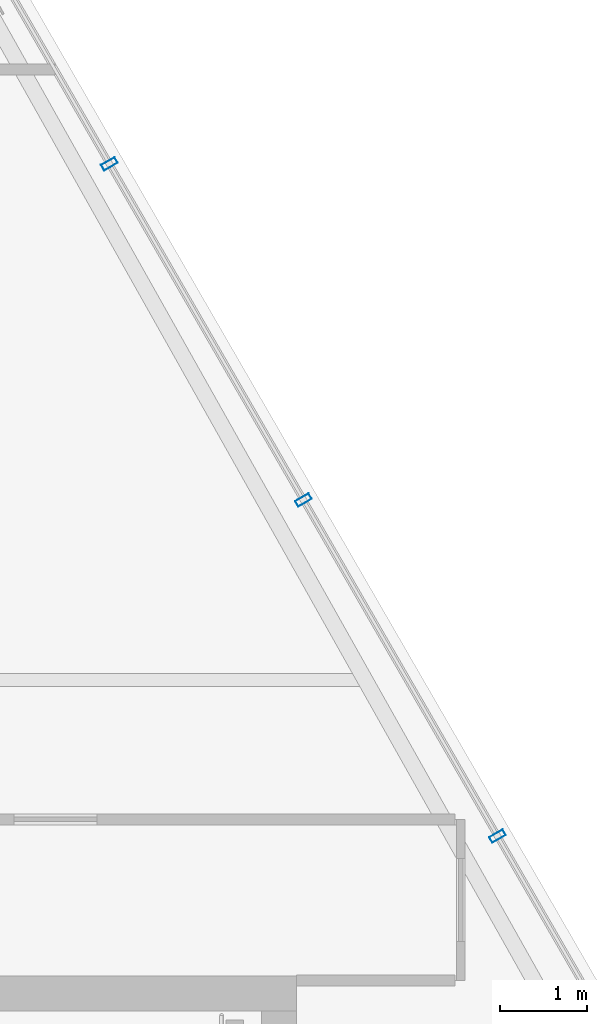
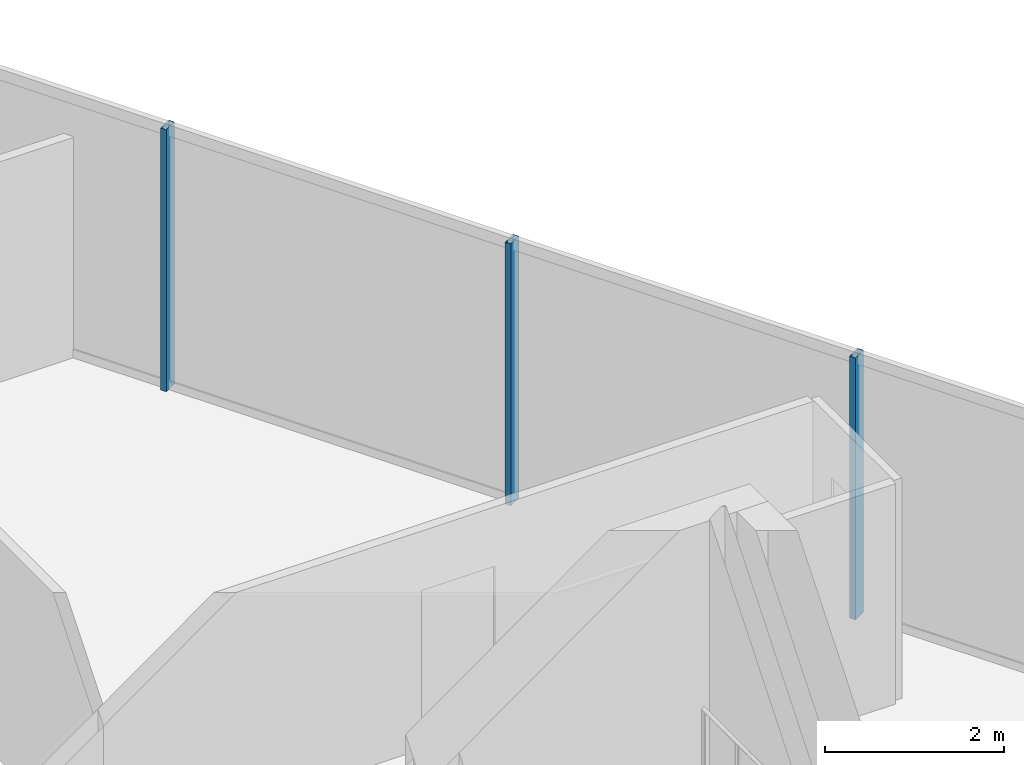
# One storey, part 22 of 32: 3 members, 1 element without a shape of its own.
"""IFC4 building model written with IfcOpenShell, lengths in metres."""

import ifcopenshell
import ifcopenshell.guid

model = None  # the IFC model being written
_history = None  # IfcOwnerHistory: only IFC2X3 demands one
_inside = {}  # id of a spatial element -> (the spatial element, [elements in it])
_under = {}  # id of a project, library or spatial element -> (it, [spatial elements below it])
_declared = {}  # id of a project -> (the project, [libraries it declares])
_typed = {}  # id of a type object -> (the type object, [elements of that type])
_made_of = {}  # id of a material, layer set ... -> (it, [elements and type objects made of it])


def new_model(schema):
    """Start an empty IFC model of exactly this schema.

    Asked for "IFC4X3", IfcOpenShell would pick the latest addendum, in which some entities
    have other attributes; the version numbers below select the first issue.
    IFC2X3 requires an IfcOwnerHistory on every rooted entity: one is made here for all.
    """
    global model, _history
    if schema == "IFC4X3":
        model = ifcopenshell.file(schema_version=(4, 3, 0, 0))
    else:
        model = ifcopenshell.file(schema=schema)
    _inside.clear()
    _under.clear()
    _declared.clear()
    _typed.clear()
    _made_of.clear()
    _history = None
    if model.schema == "IFC2X3":
        org = make("IfcOrganization", Name="unknown")
        user = make(
            "IfcPersonAndOrganization",
            ThePerson=make("IfcPerson", FamilyName="unknown"),
            TheOrganization=org,
        )
        app = make(
            "IfcApplication",
            ApplicationDeveloper=org,
            Version="unknown",
            ApplicationFullName="unknown",
            ApplicationIdentifier="unknown",
        )
        _history = make(
            "IfcOwnerHistory",
            OwningUser=user,
            OwningApplication=app,
            ChangeAction="ADDED",
            CreationDate=0,
        )
    return model


def make(cls, **values):
    """One entity of the class cls with the attributes given. An attribute that is None is left unset."""
    return model.create_entity(
        cls, **{name: value for name, value in values.items() if value is not None}
    )


def rooted(cls, **values):
    """An entity with a GlobalId (a new one), such as an element, a storey or a relation."""
    return make(cls, GlobalId=ifcopenshell.guid.new(), OwnerHistory=_history, **values)


def si_unit(unit_type, name, prefix=None):
    """IfcSIUnit, for example si_unit("LENGTHUNIT", "METRE", prefix="MILLI")."""
    return make("IfcSIUnit", UnitType=unit_type, Prefix=prefix, Name=name)


def assignment(units):
    """IfcUnitAssignment: the units of a project."""
    return None if units is None else make("IfcUnitAssignment", Units=units)


def point(xyz):
    """IfcCartesianPoint."""
    return None if xyz is None else make("IfcCartesianPoint", Coordinates=xyz)


def direction(xyz):
    """IfcDirection."""
    return None if xyz is None else make("IfcDirection", DirectionRatios=xyz)


def frame(location, z_axis=None, x_axis=None):
    """IfcAxis2Placement3D, a coordinate frame: its origin and axes. An axis left out is left unset."""
    return make(
        "IfcAxis2Placement3D",
        Location=point(location),
        Axis=direction(z_axis),
        RefDirection=direction(x_axis),
    )


def frame_2d(location, x_axis=None):
    """IfcAxis2Placement2D, a coordinate frame in the plane: its origin and x axis."""
    return make(
        "IfcAxis2Placement2D", Location=point(location), RefDirection=direction(x_axis)
    )


def origin():
    """The frame at (0, 0, 0) with its axes left unset."""
    return frame((0.0, 0.0, 0.0))


def origin_2d():
    """The frame at (0, 0) in the plane with its x axis left unset."""
    return frame_2d((0.0, 0.0))


def place(relative_to, where):
    """IfcLocalPlacement: puts the frame where relative to a parent placement (None: the world)."""
    return make(
        "IfcLocalPlacement", PlacementRelTo=relative_to, RelativePlacement=where
    )


def context(
    kind, dimensions, precision=None, world=None, true_north=None, identifier=None
):
    """IfcGeometricRepresentationContext, for example the 3D "Model" context."""
    return make(
        "IfcGeometricRepresentationContext",
        ContextIdentifier=identifier,
        ContextType=kind,
        CoordinateSpaceDimension=dimensions,
        Precision=precision,
        WorldCoordinateSystem=world,
        TrueNorth=true_north,
    )


def subcontext(parent, identifier, kind, view, scale=None):
    """IfcGeometricRepresentationSubContext, for example "Body" below "Model"."""
    return make(
        "IfcGeometricRepresentationSubContext",
        ContextIdentifier=identifier,
        ContextType=kind,
        ParentContext=parent,
        TargetScale=scale,
        TargetView=view,
    )


def project(units=None, contexts=None):
    """IfcProject with its units and contexts."""
    return rooted(
        "IfcProject",
        Name="project",
        RepresentationContexts=contexts,
        UnitsInContext=assignment(units),
    )


def spatial(cls, under=None, at=None, **own):
    """A site, building, storey or space (cls), placed at a placement, below another one or the project."""
    s = rooted(cls, ObjectPlacement=at, **own)
    if under is not None:
        _under.setdefault(under.id(), (under, []))[1].append(s)
    return s


def profile(cls, at=None, kind="AREA", **sizes):
    """A parametric profile (cls). Its sizes go by their IFC names, for example OverallWidth=200.0."""
    return make(cls, ProfileType=kind, Position=at, **sizes)


def hollow_rectangle(**sizes):
    """IfcRectangleHollowProfileDef."""
    return profile("IfcRectangleHollowProfileDef", **sizes)


def extrude(swept, where, along, depth):
    """IfcExtrudedAreaSolid: the profile swept, set in the frame where, extruded along a direction by depth."""
    return make(
        "IfcExtrudedAreaSolid",
        SweptArea=swept,
        Position=where,
        ExtrudedDirection=direction(along),
        Depth=depth,
    )


def shape(context_of_items, identifier, shape_type, items):
    """IfcShapeRepresentation: the items that make up one representation, for example the "Body"."""
    return make(
        "IfcShapeRepresentation",
        ContextOfItems=context_of_items,
        RepresentationIdentifier=identifier,
        RepresentationType=shape_type,
        Items=items,
    )


def material(Name=None, Category=None):
    """IfcMaterial."""
    return make("IfcMaterial", Name=Name, Category=Category)


def layer(
    of_material, thickness, ventilated=None, Name=None, Category=None, Priority=None
):
    """IfcMaterialLayer: one layer of a wall or slab, of a material (None: an air gap)."""
    return make(
        "IfcMaterialLayer",
        Material=of_material,
        LayerThickness=thickness,
        IsVentilated=ventilated,
        Name=Name,
        Category=Category,
        Priority=Priority,
    )


def layer_set(layers, Name=None):
    """IfcMaterialLayerSet."""
    return make("IfcMaterialLayerSet", MaterialLayers=layers, LayerSetName=Name)


def material_profile(
    of_material, cross_section, Name=None, Category=None, Priority=None
):
    """IfcMaterialProfile: a cross section and its material."""
    return make(
        "IfcMaterialProfile",
        Name=Name,
        Material=of_material,
        Profile=cross_section,
        Priority=Priority,
        Category=Category,
    )


def profile_set(profiles, Name=None, composite=None):
    """IfcMaterialProfileSet."""
    return make(
        "IfcMaterialProfileSet",
        Name=Name,
        MaterialProfiles=profiles,
        CompositeProfile=composite,
    )


def made_of(thing, what):
    """Note that an element or type object is made of a material, layer set ...; save() writes the relation."""
    if what is not None:
        _made_of.setdefault(what.id(), (what, []))[1].append(thing)
    return thing


def type_object(cls, material=None, **own):
    """A type object (cls), such as IfcWallType, which elements share."""
    return made_of(rooted(cls, **own), material)


def element(
    cls,
    number,
    at=None,
    inside=None,
    cuts=None,
    type_object=None,
    material=None,
    context=None,
    identifier="Body",
    shape_type=None,
    held_by="IfcProductDefinitionShape",
    body=None,
    shapes=None,
    **own,
):
    """One element of the class cls, such as IfcWall. Its Tag is "e" and its number.

    at: its placement. inside: the storey or other place that contains it. cuts: it is an
    opening in that element (IfcRelVoidsElement). A single representation is given by context,
    identifier, shape_type and body (its items); several are given by shapes. held_by: the class
    of the entity that holds the representations. save() writes the other relations.
    """
    e = rooted(cls, Tag="e%d" % number, ObjectPlacement=at, **own)
    if body is not None:
        shapes = [shape(context, identifier, shape_type, body)]
    if shapes is not None:
        e.Representation = make(held_by, Representations=shapes)
    if inside is not None:
        _inside.setdefault(inside.id(), (inside, []))[1].append(e)
    if cuts is not None:
        rooted(
            "IfcRelVoidsElement", RelatingBuildingElement=cuts, RelatedOpeningElement=e
        )
    if type_object is not None:
        _typed.setdefault(type_object.id(), (type_object, []))[1].append(e)
    return made_of(e, material)


def aggregate(whole, parts):
    """IfcRelAggregates: a whole, such as a stair, and the parts it consists of."""
    return rooted("IfcRelAggregates", RelatingObject=whole, RelatedObjects=parts)


def save(model, path):
    """Write the relations noted so far, then the file.

    IfcRelAggregates (storeys below a building ...), IfcRelContainedInSpatialStructure (elements
    in a storey), IfcRelDefinesByType, IfcRelAssociatesMaterial and IfcRelDeclares: one each for
    every whole, place, type object, material and project.
    """
    for whole, parts in _under.values():
        aggregate(whole, parts)
    for where, things in _inside.values():
        rooted(
            "IfcRelContainedInSpatialStructure",
            RelatedElements=things,
            RelatingStructure=where,
        )
    for kind, things in _typed.values():
        rooted("IfcRelDefinesByType", RelatedObjects=things, RelatingType=kind)
    for what, things in _made_of.values():
        rooted("IfcRelAssociatesMaterial", RelatedObjects=things, RelatingMaterial=what)
    for by, libraries in _declared.values():
        rooted("IfcRelDeclares", RelatingContext=by, RelatedDefinitions=libraries)
    model.write(path)


model = new_model("IFC4")

# Units and contexts
model_context = context("Model", 3, precision=1e-05, world=origin(), true_north=direction((0.0, 1.0)))
body_context = subcontext(model_context, "Body", "Model", "MODEL_VIEW")
ifc_project = project(units=[si_unit("LENGTHUNIT", "METRE"), si_unit("AREAUNIT", "SQUARE_METRE"), si_unit("VOLUMEUNIT", "CUBIC_METRE"), si_unit("PLANEANGLEUNIT", "RADIAN"), si_unit("MASSUNIT", "GRAM", prefix="KILO")], contexts=[model_context])

# Site, building, storey
site_placement = place(None, origin())
site = spatial("IfcSite", under=ifc_project, at=site_placement, CompositionType="ELEMENT")
building_placement = place(site_placement, origin())
building = spatial("IfcBuilding", under=site, at=building_placement, Name="Ndaravel Arena Tower", CompositionType="ELEMENT")
storey_placement = place(building_placement, frame((0.0, 0.0, 287.10009765625)))
storey = spatial("IfcBuildingStorey", under=building, at=storey_placement, Name="L70", CompositionType="ELEMENT", Elevation=287.10009765625)

# Curtain wall, members
ifc_material_1 = material(Name="Aluminium", Category="aluminium")
ifc_layer = layer(ifc_material_1, 0.179931640625)
ifc_layer_set = layer_set([ifc_layer], Name="Aluminium")
curtain_wall_type = type_object("IfcCurtainWallType", Name="CW-SYS-03", PredefinedType="NOTDEFINED", material=ifc_layer_set)
curtain_wall_placement = place(storey_placement, origin())
curtain_wall = element("IfcCurtainWall", 1, at=curtain_wall_placement, inside=storey, type_object=curtain_wall_type, Name="L70 Faceted Crystal Curtain Wall CW-L70-E03", PredefinedType="NOTDEFINED")
ifc_material_2 = material(Name="Aluminium", Category="aluminium")
ifc_material_profile = material_profile(ifc_material_2, hollow_rectangle(XDim=0.074951171875, YDim=0.179931640625, WallThickness=0.00390625, at=origin_2d()), Name="CW MULLION 75x180x4")
ifc_profile_set = profile_set([ifc_material_profile], Name="Aluminium")
member_type = type_object("IfcMemberType", Name="MEM-CW-MUL180", PredefinedType="MULLION", material=ifc_profile_set)
member_1_placement = place(storey_placement, frame((59.855224609375, 16.807373046875, 0.0), z_axis=(0.0, 0.0, 1.0), x_axis=(-0.5, 0.866025403784, 0.0)))
member_1 = element("IfcMember", 2, at=member_1_placement, type_object=member_type, Name="CW-L70-E03 Mullion 02", PredefinedType="MULLION", context=body_context, shape_type="SweptSolid", body=[
    extrude(hollow_rectangle(XDim=0.074951171875, YDim=0.179931640625, WallThickness=0.00390625, at=origin_2d()), origin(), (0.0, 0.0, 1.0), 3.579833984375),
])
member_2_placement = place(storey_placement, frame((57.629150390625, 20.6630859375, 0.0), z_axis=(0.0, 0.0, 1.0), x_axis=(-0.5, 0.866025403784, 0.0)))
member_2 = element("IfcMember", 3, at=member_2_placement, type_object=member_type, Name="CW-L70-E03 Mullion 03", PredefinedType="MULLION", context=body_context, shape_type="SweptSolid", body=[
    extrude(hollow_rectangle(XDim=0.074951171875, YDim=0.179931640625, WallThickness=0.00390625, at=origin_2d()), origin(), (0.0, 0.0, 1.0), 3.579833984375),
])
member_3_placement = place(storey_placement, frame((55.403076171875, 24.518798828125, 0.0), z_axis=(0.0, 0.0, 1.0), x_axis=(-0.5, 0.866025403784, 0.0)))
member_3 = element("IfcMember", 4, at=member_3_placement, type_object=member_type, Name="CW-L70-E03 Mullion 04", PredefinedType="MULLION", context=body_context, shape_type="SweptSolid", body=[
    extrude(hollow_rectangle(XDim=0.074951171875, YDim=0.179931640625, WallThickness=0.00390625, at=origin_2d()), origin(), (0.0, 0.0, 1.0), 3.579833984375),
])
aggregate(curtain_wall, [member_1, member_2, member_3])

save(model, "model.ifc")
